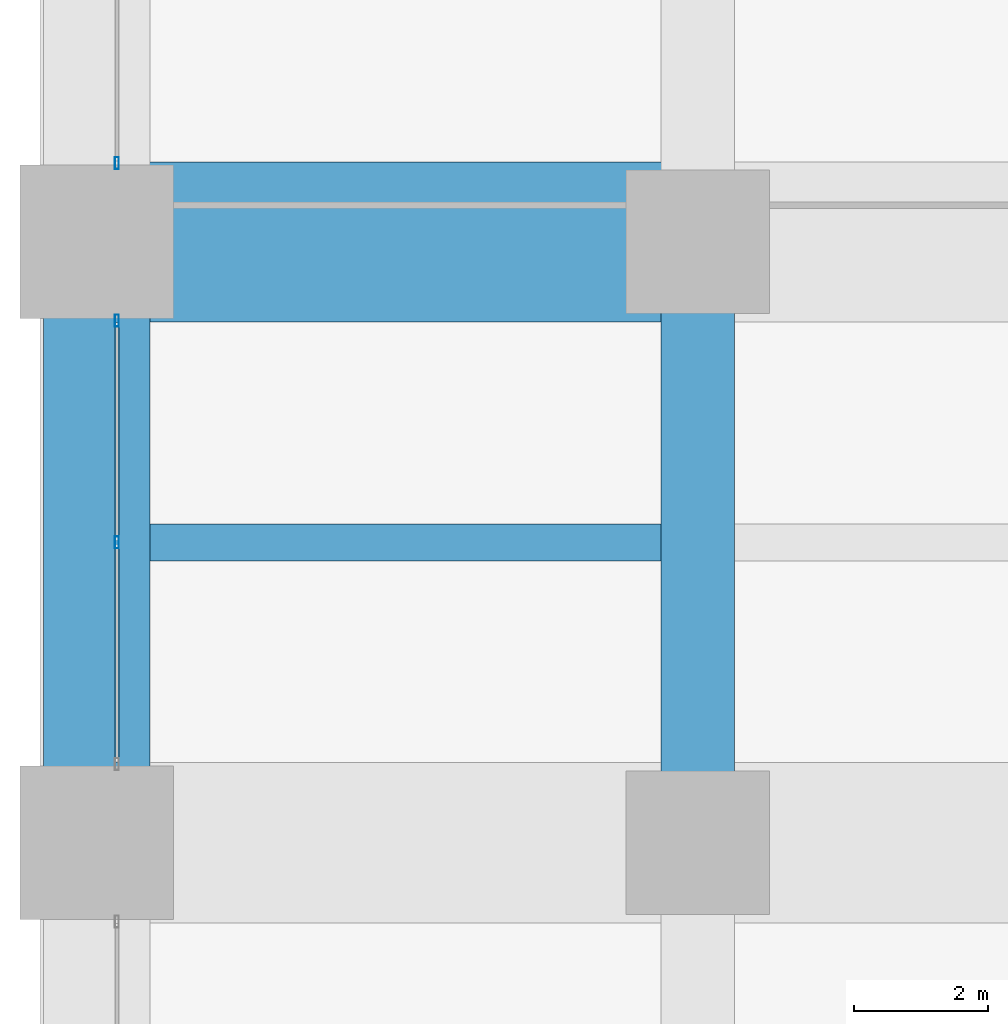
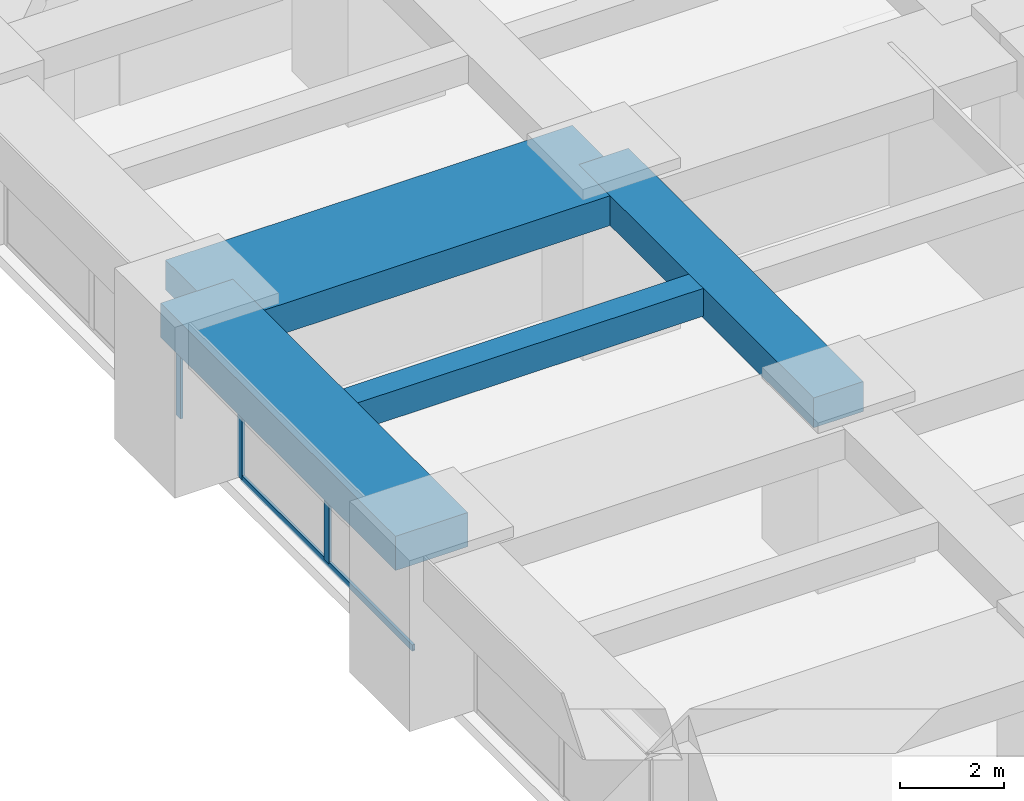
# One storey, part 23 of 44: 4 beams, 4 members, 2 elements without a shape of their own.
"""IFC4 building model written with IfcOpenShell, lengths in metres."""

from ifc_helpers import new_model, si_unit, direction, frame, origin, origin_2d, place, context, subcontext, project, spatial, rectangle, hollow_rectangle, extrude, material, material_profile, profile_set, type_object, element, aggregate, save


model = new_model("IFC4")

# Units and contexts
model_context = context("Model", 3, precision=1e-05, world=origin(), true_north=direction((0.0, 1.0)))
body_context = subcontext(model_context, "Body", "Model", "MODEL_VIEW")
ifc_project = project(units=[si_unit("LENGTHUNIT", "METRE"), si_unit("AREAUNIT", "SQUARE_METRE"), si_unit("VOLUMEUNIT", "CUBIC_METRE"), si_unit("PLANEANGLEUNIT", "RADIAN"), si_unit("MASSUNIT", "GRAM", prefix="KILO")], contexts=[model_context])

# Site, building, storey
site_placement = place(None, origin())
site = spatial("IfcSite", under=ifc_project, at=site_placement, CompositionType="ELEMENT")
building_placement = place(site_placement, origin())
building = spatial("IfcBuilding", under=site, at=building_placement, Name="Zorevar Civic Tower", CompositionType="ELEMENT")
storey_placement = place(building_placement, frame((0.0, 0.0, 63.800048828125)))
storey = spatial("IfcBuildingStorey", under=building, at=storey_placement, Name="L15", CompositionType="ELEMENT", Elevation=63.800048828125)

# Beams
ifc_material_1 = material(Name="Concrete C50/60", Category="concrete")
ifc_material_profile_1 = material_profile(ifc_material_1, rectangle(XDim=1.10009765625, YDim=0.699951171875, at=origin_2d()), Name="RC 1100x700")
ifc_profile_set_1 = profile_set([ifc_material_profile_1], Name="Concrete C50/60")
beam_type_1 = type_object("IfcBeamType", Name="Beam RC 1100x700", PredefinedType="BEAM", material=ifc_profile_set_1)
beam_1_placement = place(storey_placement, frame((9.0, 27.0, 3.39990234375), z_axis=(0.0, 1.0, 0.0), x_axis=(-1.0, 0.0, 0.0)))
element("IfcBeam", 1, at=beam_1_placement, inside=storey, type_object=beam_type_1, Name="Girder L16", PredefinedType="BEAM", context=body_context, shape_type="SweptSolid", body=[
    extrude(rectangle(XDim=1.10009765625, YDim=0.699951171875, at=origin_2d()), origin(), (0.0, 0.0, 1.0), 9.0),
])
ifc_material_2 = material(Name="Concrete C50/60", Category="concrete")
ifc_material_profile_2 = material_profile(ifc_material_2, rectangle(XDim=2.39990234375, YDim=0.699951171875, at=origin_2d()), Name="RC 2400x700")
ifc_profile_set_2 = profile_set([ifc_material_profile_2], Name="Concrete C50/60")
beam_type_2 = type_object("IfcBeamType", Name="Beam RC 2400x700", PredefinedType="BEAM", material=ifc_profile_set_2)
beam_2_placement = place(storey_placement, frame((0.0, 36.0, 3.39990234375), z_axis=(1.0, 0.0, 0.0), x_axis=(0.0, 1.0, 0.0)))
element("IfcBeam", 2, at=beam_2_placement, inside=storey, type_object=beam_type_2, Name="Girder L16", PredefinedType="BEAM", context=body_context, shape_type="SweptSolid", body=[
    extrude(rectangle(XDim=2.39990234375, YDim=0.699951171875, at=origin_2d()), origin(), (0.0, 0.0, 1.0), 9.0),
])
ifc_material_3 = material(Name="Concrete C50/60", Category="concrete")
ifc_material_profile_3 = material_profile(ifc_material_3, rectangle(XDim=0.550048828125, YDim=0.64990234375, at=origin_2d()), Name="RC 550x650")
ifc_profile_set_3 = profile_set([ifc_material_profile_3], Name="Concrete C50/60")
beam_type_3 = type_object("IfcBeamType", Name="Beam RC 550x650", PredefinedType="BEAM", material=ifc_profile_set_3)
beam_3_placement = place(storey_placement, frame((0.800048828125, 31.5, 3.425048828125), z_axis=(1.0, 0.0, 0.0), x_axis=(0.0, 1.0, 0.0)))
element("IfcBeam", 3, at=beam_3_placement, inside=storey, type_object=beam_type_3, Name="Secondary beam L16", PredefinedType="BEAM", context=body_context, shape_type="SweptSolid", body=[
    extrude(rectangle(XDim=0.550048828125, YDim=0.64990234375, at=origin_2d()), origin(), (0.0, 0.0, 1.0), 7.64990234375),
])

# Curtain wall, members
ifc_material_4 = material(Name="Dark grey solar-control glass in black aluminium frame", Category="aluminium")
curtain_wall_type = type_object("IfcCurtainWallType", Name="Curtain wall CW2 low zone", PredefinedType="NOTDEFINED", material=ifc_material_4)
curtain_wall_1_placement = place(storey_placement, origin())
curtain_wall_1 = element("IfcCurtainWall", 4, at=curtain_wall_1_placement, inside=storey, type_object=curtain_wall_type, Name="CW2 L15", PredefinedType="NOTDEFINED")
ifc_material_5 = material(Name="Aluminium, black anodised", Category="aluminium")
ifc_material_profile_4 = material_profile(ifc_material_5, hollow_rectangle(XDim=0.06005859375, YDim=0.179931640625, WallThickness=0.00390625, at=origin_2d()), Name="AL 180x60x4")
ifc_profile_set_4 = profile_set([ifc_material_profile_4], Name="Aluminium, black anodised")
member_type_1 = type_object("IfcMemberType", Name="CW2 mullion AL 180x60x4", PredefinedType="MULLION", material=ifc_profile_set_4)
member_1_placement = place(storey_placement, frame((0.300048828125, 31.5, 0.06005859375), z_axis=(0.0, 0.0, 1.0), x_axis=(-1.0, 0.0, 0.0)))
member_1 = element("IfcMember", 5, at=member_1_placement, type_object=member_type_1, Name="CW2 mullion 2", PredefinedType="MULLION", context=body_context, shape_type="SweptSolid", body=[
    extrude(hollow_rectangle(XDim=0.06005859375, YDim=0.179931640625, WallThickness=0.00390625, at=origin_2d()), origin(), (0.0, 0.0, 1.0), 2.889892578125),
])
member_2_placement = place(storey_placement, frame((0.300048828125, 34.820068359375, 0.0), z_axis=(0.0, 0.0, 1.0), x_axis=(-1.0, 0.0, 0.0)))
member_2 = element("IfcMember", 6, at=member_2_placement, type_object=member_type_1, Name="CW2 mullion 3", PredefinedType="MULLION", context=body_context, shape_type="SweptSolid", body=[
    extrude(hollow_rectangle(XDim=0.06005859375, YDim=0.179931640625, WallThickness=0.00390625, at=origin_2d()), origin(), (0.0, 0.0, 1.0), 2.949951171875),
])

# Curtain wall, member
curtain_wall_2_placement = place(storey_placement, origin())
curtain_wall_2 = element("IfcCurtainWall", 7, at=curtain_wall_2_placement, inside=storey, type_object=curtain_wall_type, Name="CW2 L15", PredefinedType="NOTDEFINED")
member_3_placement = place(storey_placement, frame((0.300048828125, 37.179931640625, 0.0), z_axis=(0.0, 0.0, 1.0), x_axis=(-1.0, 0.0, 0.0)))
member_3 = element("IfcMember", 8, at=member_3_placement, type_object=member_type_1, Name="CW2 mullion 1", PredefinedType="MULLION", context=body_context, shape_type="SweptSolid", body=[
    extrude(hollow_rectangle(XDim=0.06005859375, YDim=0.179931640625, WallThickness=0.00390625, at=origin_2d()), origin(), (0.0, 0.0, 1.0), 2.949951171875),
])
aggregate(curtain_wall_2, [member_3])

# Member
ifc_material_6 = material(Name="Aluminium, black anodised", Category="aluminium")
ifc_material_profile_5 = material_profile(ifc_material_6, hollow_rectangle(XDim=0.06005859375, YDim=0.14990234375, WallThickness=0.00390625, at=origin_2d()), Name="AL 150x60x4")
ifc_profile_set_5 = profile_set([ifc_material_profile_5], Name="Aluminium, black anodised")
member_type_2 = type_object("IfcMemberType", Name="CW2 transom AL 150x60x4", PredefinedType="USERDEFINED", material=ifc_profile_set_5)
member_4_placement = place(storey_placement, frame((0.300048828125, 28.2099609375, 0.030029296875), z_axis=(0.0, 1.0, 0.0), x_axis=(-1.0, 0.0, 0.0)))
member_4 = element("IfcMember", 9, at=member_4_placement, type_object=member_type_2, Name="CW2 sill transom", ObjectType="TRANSOM", PredefinedType="USERDEFINED", context=body_context, shape_type="SweptSolid", body=[
    extrude(hollow_rectangle(XDim=0.06005859375, YDim=0.14990234375, WallThickness=0.00390625, at=origin_2d()), origin(), (0.0, 0.0, 1.0), 6.580078125),
])

aggregate(curtain_wall_1, [member_1, member_2, member_4])

# Beam
ifc_material_7 = material(Name="Concrete C50/60", Category="concrete")
ifc_material_profile_6 = material_profile(ifc_material_7, rectangle(XDim=1.60009765625, YDim=0.800048828125, at=origin_2d()), Name="RC 1600x800")
ifc_profile_set_6 = profile_set([ifc_material_profile_6], Name="Concrete C50/60")
beam_type_4 = type_object("IfcBeamType", Name="Edge beam RC 1600x800", PredefinedType="SPANDREL", material=ifc_profile_set_6)
beam_4_placement = place(storey_placement, frame((0.0, 27.0, 3.349853515625), z_axis=(0.0, 1.0, 0.0), x_axis=(-1.0, 0.0, 0.0)))
element("IfcBeam", 10, at=beam_4_placement, inside=storey, type_object=beam_type_4, Name="Edge beam L16", PredefinedType="SPANDREL", context=body_context, shape_type="SweptSolid", body=[
    extrude(rectangle(XDim=1.60009765625, YDim=0.800048828125, at=origin_2d()), origin(), (0.0, 0.0, 1.0), 9.0),
])

save(model, "model.ifc")
